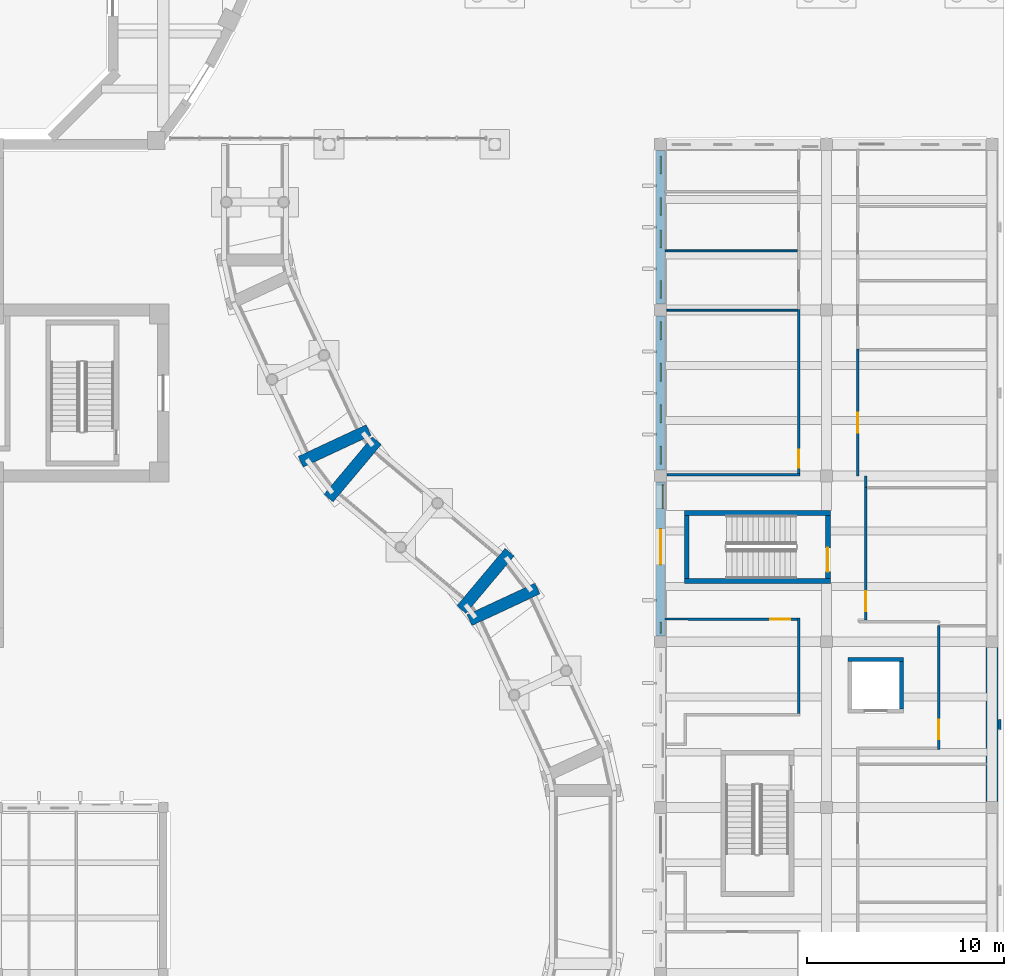
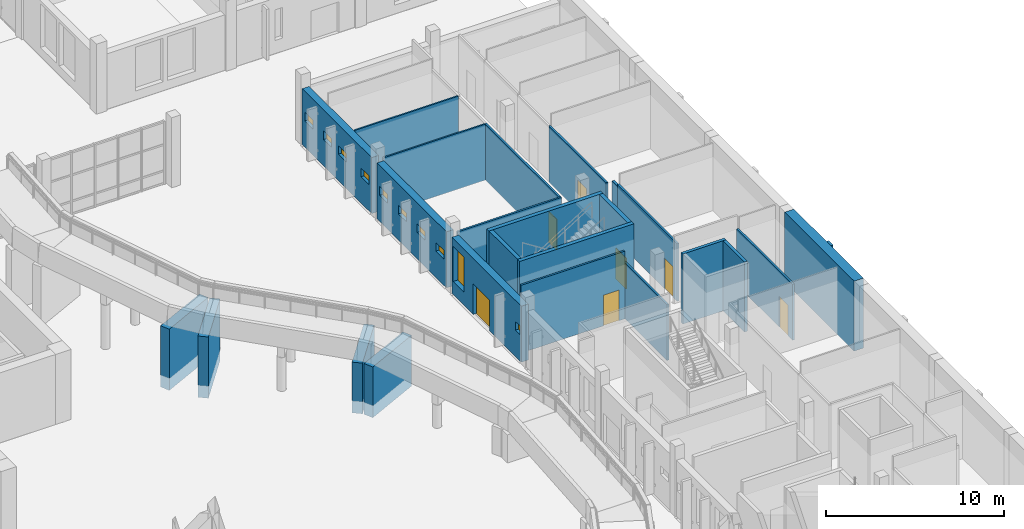
# One storey, part 60 of 110: 25 walls, 10 windows, 7 doors, 17 openings.
"""IFC4 building model written with IfcOpenShell, lengths in metres."""

from ifc_helpers import new_model, si_unit, direction, frame, frame_2d, origin, place, context, subcontext, project, spatial, rectangle, extrude, material, layer, layer_set, type_object, element, fill, save


model = new_model("IFC4")

# Units and contexts
model_context = context("Model", 3, precision=1e-05, world=origin(), true_north=direction((0.0, 1.0)))
body_context = subcontext(model_context, "Body", "Model", "MODEL_VIEW")
ifc_project = project(units=[si_unit("LENGTHUNIT", "METRE"), si_unit("AREAUNIT", "SQUARE_METRE"), si_unit("VOLUMEUNIT", "CUBIC_METRE"), si_unit("PLANEANGLEUNIT", "RADIAN"), si_unit("MASSUNIT", "GRAM", prefix="KILO")], contexts=[model_context])

# Site, building, storey
site_placement = place(None, origin())
site = spatial("IfcSite", under=ifc_project, at=site_placement, CompositionType="ELEMENT")
building_placement = place(site_placement, origin())
building = spatial("IfcBuilding", under=site, at=building_placement, Name="Larchfold Concert Hall", CompositionType="ELEMENT")
storey_placement = place(building_placement, origin())
storey = spatial("IfcBuildingStorey", under=building, at=storey_placement, Name="L00", CompositionType="ELEMENT", Elevation=0.0)

# Wall
ifc_material_1 = material(Name="Plasterboard partition on steel studs", Category="steel")
ifc_layer_1 = layer(ifc_material_1, 0.125)
ifc_layer_set_1 = layer_set([ifc_layer_1], Name="Plasterboard partition on steel studs")
wall_type_1 = type_object("IfcWallType", Name="Corridor partition 125 EI 60", PredefinedType="PARTITIONING", material=ifc_layer_set_1)
wall_1_placement = place(storey_placement, frame((91.59716796875, 30.5634765625, 0.0), z_axis=(0.0, 0.0, 1.0), x_axis=(0.000806898724, 0.999999674457, 0.0)))
element("IfcWall", 1, at=wall_1_placement, inside=storey, type_object=wall_type_1, Name="Partition IW0047", PredefinedType="PARTITIONING", context=body_context, shape_type="SweptSolid", body=[
    extrude(rectangle(XDim=4.841064453125, YDim=0.125, at=frame_2d((2.42041015625, 0.0))), origin(), (0.0, 0.0, 1.0), 3.840087890625),
])

# Wall, opening, door
wall_2_placement = place(storey_placement, frame((91.53857421875, 35.342041015625, 0.0), z_axis=(0.0, 0.0, 1.0), x_axis=(-0.999999094746, 0.001345551186, 0.0)))
wall_2 = element("IfcWall", 2, at=wall_2_placement, inside=storey, type_object=wall_type_1, Name="Partition IW0048", PredefinedType="PARTITIONING", context=body_context, shape_type="SweptSolid", body=[
    extrude(rectangle(XDim=6.71337890625, YDim=0.125, at=frame_2d((3.356689453125, 0.0))), origin(), (0.0, 0.0, 1.0), 4.639892578125),
])
opening_1_placement = place(wall_2_placement, frame((0.373046875, 0.0, 0.0)))
opening_1 = element("IfcOpeningElement", 3, at=opening_1_placement, cuts=wall_2, Name="Opening D-L00-118", PredefinedType="OPENING", context=body_context, shape_type="SweptSolid", body=[
    extrude(rectangle(XDim=1.0, YDim=2.10009765625, at=frame_2d((0.5, 1.050048828125))), frame((0.0, 0.072509765625, 0.0), z_axis=(0.0, -1.0, 0.0), x_axis=(1.0, 0.0, 0.0)), (0.0, 0.0, 1.0), 0.14501953125),
])
ifc_material_2 = material(Name="Timber door leaf", Category="wood")
door_type_1 = type_object("IfcDoorType", Name="Dressing room door 1000 x 2100 FD30S", OperationType="SINGLE_SWING_LEFT", PredefinedType="DOOR", material=ifc_material_2)
door_1_placement = place(opening_1_placement, origin())
door_1 = element("IfcDoor", 4, at=door_1_placement, inside=storey, type_object=door_type_1, Name="Door D-L00-118", OperationType="SINGLE_SWING_LEFT", OverallHeight=2.10009765625, OverallWidth=1.0, PredefinedType="DOOR", context=body_context, shape_type="SweptSolid", body=[
    extrude(rectangle(XDim=1.0, YDim=2.10009765625, at=frame_2d((0.5, 1.050048828125))), frame((0.0, 0.02490234375, 0.0), z_axis=(0.0, -1.0, 0.0), x_axis=(1.0, 0.0, 0.0)), (0.0, 0.0, 1.0), 0.050048828125),
])
fill(opening_1, door_1)

wall_3_placement = place(storey_placement, frame((98.698974609375, 35.02001953125, 0.0), z_axis=(0.0, 0.0, 1.0), x_axis=(0.0, -1.0, 0.0)))
wall_3 = element("IfcWall", 5, at=wall_3_placement, inside=storey, type_object=wall_type_1, Name="Partition IW0049", PredefinedType="PARTITIONING", context=body_context, shape_type="SweptSolid", body=[
    extrude(rectangle(XDim=6.281494140625, YDim=0.125, at=frame_2d((3.140625, 0.0))), origin(), (0.0, 0.0, 1.0), 3.840087890625),
])
opening_2_placement = place(wall_3_placement, frame((4.77001953125, 0.0, 0.0)))
opening_2 = element("IfcOpeningElement", 6, at=opening_2_placement, cuts=wall_3, Name="Opening D-L00-119", PredefinedType="OPENING", context=body_context, shape_type="SweptSolid", body=[
    extrude(rectangle(XDim=1.0, YDim=2.10009765625, at=frame_2d((0.5, 1.050048828125))), frame((0.0, 0.072509765625, 0.0), z_axis=(0.0, -1.0, 0.0), x_axis=(1.0, 0.0, 0.0)), (0.0, 0.0, 1.0), 0.14501953125),
])
door_2_placement = place(opening_2_placement, origin())
door_2 = element("IfcDoor", 7, at=door_2_placement, inside=storey, type_object=door_type_1, Name="Door D-L00-119", OperationType="SINGLE_SWING_LEFT", OverallHeight=2.10009765625, OverallWidth=1.0, PredefinedType="DOOR", context=body_context, shape_type="SweptSolid", body=[
    extrude(rectangle(XDim=1.0, YDim=2.10009765625, at=frame_2d((0.5, 1.050048828125))), frame((0.0, 0.02490234375, 0.0), z_axis=(0.0, -1.0, 0.0), x_axis=(1.0, 0.0, 0.0)), (0.0, 0.0, 1.0), 0.050048828125),
])
fill(opening_2, door_2)

wall_4_placement = place(storey_placement, frame((94.9990234375, 42.02001953125, 0.0), z_axis=(0.0, 0.0, 1.0), x_axis=(0.0, -1.0, 0.0)))
wall_4 = element("IfcWall", 8, at=wall_4_placement, inside=storey, type_object=wall_type_1, Name="Partition IW0052", PredefinedType="PARTITIONING", context=body_context, shape_type="SweptSolid", body=[
    extrude(rectangle(XDim=6.7314453125, YDim=0.125, at=frame_2d((3.36572265625, 0.0))), origin(), (0.0, 0.0, 1.0), 3.93994140625),
])
opening_3_placement = place(wall_4_placement, frame((5.269775390625, 0.0, 0.0)))
opening_3 = element("IfcOpeningElement", 9, at=opening_3_placement, cuts=wall_4, Name="Opening D-L00-120", PredefinedType="OPENING", context=body_context, shape_type="SweptSolid", body=[
    extrude(rectangle(XDim=1.0, YDim=2.10009765625, at=frame_2d((0.5, 1.050048828125))), frame((0.0, 0.072509765625, 0.0), z_axis=(0.0, -1.0, 0.0), x_axis=(1.0, 0.0, 0.0)), (0.0, 0.0, 1.0), 0.14501953125),
])
door_3_placement = place(opening_3_placement, origin())
door_3 = element("IfcDoor", 10, at=door_3_placement, inside=storey, type_object=door_type_1, Name="Door D-L00-120", OperationType="SINGLE_SWING_RIGHT", OverallHeight=2.10009765625, OverallWidth=1.0, PredefinedType="DOOR", context=body_context, shape_type="SweptSolid", body=[
    extrude(rectangle(XDim=1.0, YDim=2.10009765625, at=frame_2d((0.5, 1.050048828125))), frame((0.0, 0.02490234375, 0.0), z_axis=(0.0, -1.0, 0.0), x_axis=(1.0, 0.0, 0.0)), (0.0, 0.0, 1.0), 0.050048828125),
])
fill(opening_3, door_3)

wall_5_placement = place(storey_placement, frame((94.59912109375, 49.02001953125, 0.0), z_axis=(0.0, 0.0, 1.0), x_axis=(0.0, -1.0, 0.0)))
wall_5 = element("IfcWall", 11, at=wall_5_placement, inside=storey, type_object=wall_type_1, Name="Partition IW0054", PredefinedType="PARTITIONING", context=body_context, shape_type="SweptSolid", body=[
    extrude(rectangle(XDim=6.423583984375, YDim=0.125, at=frame_2d((3.2119140625, 0.0))), origin(), (0.0, 0.0, 1.0), 3.840087890625),
])
opening_4_placement = place(wall_5_placement, frame((3.2294921875, 0.0, 0.0)))
opening_4 = element("IfcOpeningElement", 12, at=opening_4_placement, cuts=wall_5, Name="Opening D-L00-121", PredefinedType="OPENING", context=body_context, shape_type="SweptSolid", body=[
    extrude(rectangle(XDim=1.0, YDim=2.10009765625, at=frame_2d((0.5, 1.050048828125))), frame((0.0, 0.072509765625, 0.0), z_axis=(0.0, -1.0, 0.0), x_axis=(1.0, 0.0, 0.0)), (0.0, 0.0, 1.0), 0.14501953125),
])
door_4_placement = place(opening_4_placement, origin())
door_4 = element("IfcDoor", 13, at=door_4_placement, inside=storey, type_object=door_type_1, Name="Door D-L00-121", OperationType="SINGLE_SWING_RIGHT", OverallHeight=2.10009765625, OverallWidth=1.0, PredefinedType="DOOR", context=body_context, shape_type="SweptSolid", body=[
    extrude(rectangle(XDim=1.0, YDim=2.10009765625, at=frame_2d((0.5, 1.050048828125))), frame((0.0, 0.02490234375, 0.0), z_axis=(0.0, -1.0, 0.0), x_axis=(1.0, 0.0, 0.0)), (0.0, 0.0, 1.0), 0.050048828125),
])
fill(opening_4, door_4)

# Walls
wall_6_placement = place(storey_placement, frame((94.9990234375, 42.58642578125, 0.0), z_axis=(0.0, 0.0, 1.0), x_axis=(0.0, -1.0, 0.0)))
element("IfcWall", 14, at=wall_6_placement, inside=storey, type_object=wall_type_1, Name="Partition IW0055", PredefinedType="PARTITIONING", context=body_context, shape_type="SweptSolid", body=[
    extrude(rectangle(XDim=0.56640625, YDim=0.125, at=frame_2d((0.283203125, 0.0))), origin(), (0.0, 0.0, 1.0), 3.840087890625),
])
wall_7_placement = place(storey_placement, frame((84.920166015625, 42.64892578125, 0.0), z_axis=(0.0, 0.0, 1.0), x_axis=(0.999999590271, 0.000905239155, 0.0)))
element("IfcWall", 15, at=wall_7_placement, inside=storey, type_object=wall_type_1, Name="Partition IW0056", PredefinedType="PARTITIONING", context=body_context, shape_type="SweptSolid", body=[
    extrude(rectangle(XDim=6.742431640625, YDim=0.125, at=frame_2d((3.37109375, 0.0))), origin(), (0.0, 0.0, 1.0), 3.840087890625),
])

# Wall, opening, door
wall_8_placement = place(storey_placement, frame((91.60009765625, 42.717529296875, 0.0), z_axis=(0.0, 0.0, 1.0), x_axis=(0.0, 1.0, 0.0)))
wall_8 = element("IfcWall", 16, at=wall_8_placement, inside=storey, type_object=wall_type_1, Name="Partition IW0057", PredefinedType="PARTITIONING", context=body_context, shape_type="SweptSolid", body=[
    extrude(rectangle(XDim=8.302490234375, YDim=0.125, at=frame_2d((4.1513671875, 0.0))), origin(), (0.0, 0.0, 1.0), 3.840087890625),
])
opening_5_placement = place(wall_8_placement, frame((0.298095703125, 0.0, 0.0)))
opening_5 = element("IfcOpeningElement", 17, at=opening_5_placement, cuts=wall_8, Name="Opening D-L00-122", PredefinedType="OPENING", context=body_context, shape_type="SweptSolid", body=[
    extrude(rectangle(XDim=0.89990234375, YDim=2.10009765625, at=frame_2d((0.449951171875, 1.050048828125))), frame((0.0, 0.072509765625, 0.0), z_axis=(0.0, -1.0, 0.0), x_axis=(1.0, 0.0, 0.0)), (0.0, 0.0, 1.0), 0.14501953125),
])
ifc_material_3 = material(Name="Timber door leaf", Category="wood")
door_type_2 = type_object("IfcDoorType", Name="Public toilet door 900 x 2100 FD30S", OperationType="SINGLE_SWING_LEFT", PredefinedType="DOOR", material=ifc_material_3)
door_5_placement = place(opening_5_placement, origin())
door_5 = element("IfcDoor", 18, at=door_5_placement, inside=storey, type_object=door_type_2, Name="Door D-L00-122", OperationType="SINGLE_SWING_RIGHT", OverallHeight=2.10009765625, OverallWidth=0.89990234375, PredefinedType="DOOR", context=body_context, shape_type="SweptSolid", body=[
    extrude(rectangle(XDim=0.89990234375, YDim=2.10009765625, at=frame_2d((0.449951171875, 1.050048828125))), frame((0.0, 0.02490234375, 0.0), z_axis=(0.0, -1.0, 0.0), x_axis=(1.0, 0.0, 0.0)), (0.0, 0.0, 1.0), 0.050048828125),
])
fill(opening_5, door_5)

# Walls
ifc_material_4 = material(Name="Plasterboard partition on steel studs", Category="steel")
ifc_layer_2 = layer(ifc_material_4, 0.10009765625)
ifc_layer_set_2 = layer_set([ifc_layer_2], Name="Plasterboard partition on steel studs")
wall_type_2 = type_object("IfcWallType", Name="Stud partition 100", PredefinedType="PARTITIONING", material=ifc_layer_set_2)
wall_9_placement = place(storey_placement, frame((84.920166015625, 51.0, 0.0), z_axis=(0.0, 0.0, 1.0), x_axis=(1.0, 0.0, 0.0)))
element("IfcWall", 19, at=wall_9_placement, inside=storey, type_object=wall_type_2, Name="Partition IW0071", PredefinedType="PARTITIONING", context=body_context, shape_type="SweptSolid", body=[
    extrude(rectangle(XDim=6.61474609375, YDim=0.10009765625, at=frame_2d((3.307373046875, 0.0))), origin(), (0.0, 0.0, 1.0), 3.840087890625),
])
wall_10_placement = place(storey_placement, frame((84.8251953125, 54.0, 0.0), z_axis=(0.0, 0.0, 1.0), x_axis=(1.0, 0.0, 0.0)))
element("IfcWall", 20, at=wall_10_placement, inside=storey, type_object=wall_type_2, Name="Partition IW0073", PredefinedType="PARTITIONING", context=body_context, shape_type="SweptSolid", body=[
    extrude(rectangle(XDim=6.709716796875, YDim=0.10009765625, at=frame_2d((3.35498046875, 0.0))), origin(), (0.0, 0.0, 1.0), 3.93994140625),
])
ifc_material_5 = material(Name="Concrete C40/50", Category="concrete")
ifc_layer_3 = layer(ifc_material_5, 0.199951171875)
ifc_layer_set_3 = layer_set([ifc_layer_3], Name="Concrete C40/50")
wall_type_3 = type_object("IfcWallType", Name="Wall RC 200 lift shaft", PredefinedType="SOLIDWALL", material=ifc_layer_set_3)
wall_11_placement = place(storey_placement, frame((94.10009765625, 33.2998046875, 0.0), z_axis=(0.0, 0.0, 1.0), x_axis=(1.0, 0.0, 0.0)))
element("IfcWall", 21, at=wall_11_placement, inside=storey, type_object=wall_type_3, Name="Wall W0166", PredefinedType="SOLIDWALL", context=body_context, shape_type="SweptSolid", body=[
    extrude(rectangle(XDim=2.7998046875, YDim=0.199951171875, at=frame_2d((1.39990234375, 0.0))), origin(), (0.0, 0.0, 1.0), 4.800048828125),
])
wall_12_placement = place(storey_placement, frame((96.7998046875, 30.800048828125, 0.0), z_axis=(0.0, 0.0, 1.0), x_axis=(0.0, 1.0, 0.0)))
element("IfcWall", 22, at=wall_12_placement, inside=storey, type_object=wall_type_3, Name="Wall W0168", PredefinedType="SOLIDWALL", context=body_context, shape_type="SweptSolid", body=[
    extrude(rectangle(XDim=2.39990234375, YDim=0.199951171875, at=frame_2d((1.199951171875, 0.0))), origin(), (0.0, 0.0, 1.0), 4.800048828125),
])
ifc_material_6 = material(Name="Concrete C40/50", Category="concrete")
ifc_layer_4 = layer(ifc_material_6, 0.25)
ifc_layer_set_4 = layer_set([ifc_layer_4], Name="Concrete C40/50")
wall_type_4 = type_object("IfcWallType", Name="Wall RC 250 stair core", PredefinedType="SOLIDWALL", material=ifc_layer_set_4)
for number, where, z_axis, x_axis, name in (
    (23, (85.800048828125, 37.27490234375, 0.0), (0.0, 0.0, 1.0), (1.0, 0.0, 0.0), "Wall W0089"),
    (24, (85.800048828125, 40.72509765625, 0.0), (0.0, 0.0, 1.0), (1.0, 0.0, 0.0), "Wall W0090"),
):
    element("IfcWall", number, at=place(storey_placement, frame(where, z_axis=z_axis, x_axis=x_axis)), inside=storey, type_object=wall_type_4, Name=name, PredefinedType="SOLIDWALL", context=body_context, shape_type="SweptSolid", body=[
        extrude(rectangle(XDim=7.39990234375, YDim=0.25, at=frame_2d((3.699951171875, 0.0))), origin(), (0.0, 0.0, 1.0), 4.800048828125),
    ])
wall_13_placement = place(storey_placement, frame((85.925048828125, 37.39990234375, 0.0), z_axis=(0.0, 0.0, 1.0), x_axis=(0.0, 1.0, 0.0)))
element("IfcWall", 25, at=wall_13_placement, inside=storey, type_object=wall_type_4, Name="Wall W0091", PredefinedType="SOLIDWALL", context=body_context, shape_type="SweptSolid", body=[
    extrude(rectangle(XDim=3.2001953125, YDim=0.25, at=frame_2d((1.60009765625, 0.0))), origin(), (0.0, 0.0, 1.0), 4.800048828125),
])

# Wall, opening, door
wall_14_placement = place(storey_placement, frame((93.074951171875, 37.39990234375, 0.0), z_axis=(0.0, 0.0, 1.0), x_axis=(0.0, 1.0, 0.0)))
wall_14 = element("IfcWall", 26, at=wall_14_placement, inside=storey, type_object=wall_type_4, Name="Wall W0092", PredefinedType="SOLIDWALL", context=body_context, shape_type="SweptSolid", body=[
    extrude(rectangle(XDim=3.2001953125, YDim=0.25, at=frame_2d((1.60009765625, 0.0))), origin(), (0.0, 0.0, 1.0), 4.800048828125),
])
opening_6_placement = place(wall_14_placement, frame((0.35009765625, 0.0, 0.0)))
opening_6 = element("IfcOpeningElement", 27, at=opening_6_placement, cuts=wall_14, Name="Opening D-L00-168", PredefinedType="OPENING", context=body_context, shape_type="SweptSolid", body=[
    extrude(rectangle(XDim=1.199951171875, YDim=2.10009765625, at=frame_2d((0.60009765625, 1.050048828125))), frame((0.0, 0.135009765625, 0.0), z_axis=(0.0, -1.0, 0.0), x_axis=(1.0, 0.0, 0.0)), (0.0, 0.0, 1.0), 0.27001953125),
])
ifc_material_7 = material(Name="Timber door leaf", Category="wood")
door_type_3 = type_object("IfcDoorType", Name="Stair enclosure door pair 1200 x 2100 FD60", OperationType="SINGLE_SWING_LEFT", PredefinedType="DOOR", material=ifc_material_7)
door_6_placement = place(opening_6_placement, origin())
door_6 = element("IfcDoor", 28, at=door_6_placement, inside=storey, type_object=door_type_3, Name="Door D-L00-168", OperationType="DOUBLE_DOOR_SINGLE_SWING", OverallHeight=2.10009765625, OverallWidth=1.199951171875, PredefinedType="DOOR", context=body_context, shape_type="SweptSolid", body=[
    extrude(rectangle(XDim=1.199951171875, YDim=2.10009765625, at=frame_2d((0.60009765625, 1.050048828125))), frame((0.0, 0.02490234375, 0.0), z_axis=(0.0, -1.0, 0.0), x_axis=(1.0, 0.0, 0.0)), (0.0, 0.0, 1.0), 0.050048828125),
])
fill(opening_6, door_6)

# Walls
ifc_material_8 = material(Name="Concrete C40/50", Category="concrete")
ifc_layer_5 = layer(ifc_material_8, 0.60009765625)
ifc_layer_set_5 = layer_set([ifc_layer_5], Name="Concrete C40/50")
wall_type_5 = type_object("IfcWallType", Name="Wall RC 600 party wall", PredefinedType="SOLIDWALL", material=ifc_layer_set_5)
wall_15_placement = place(storey_placement, frame((101.39990234375, 26.10009765625, 0.0), z_axis=(0.0, 0.0, 1.0), x_axis=(0.0, 1.0, 0.0)))
element("IfcWall", 29, at=wall_15_placement, inside=storey, type_object=wall_type_5, Name="Wall W0023", PredefinedType="SOLIDWALL", context=body_context, shape_type="SweptSolid", body=[
    extrude(rectangle(XDim=7.7998046875, YDim=0.60009765625, at=frame_2d((3.89990234375, 0.0))), origin(), (0.0, 0.0, 1.0), 4.800048828125),
])
ifc_material_9 = material(Name="Concrete C30/37", Category="concrete")
ifc_layer_6 = layer(ifc_material_9, 0.60009765625)
ifc_layer_set_6 = layer_set([ifc_layer_6], Name="Concrete C30/37")
wall_type_6 = type_object("IfcWallType", Name="Wall RC 600 ramp pier", PredefinedType="SOLIDWALL", material=ifc_layer_set_6)
wall_16_placement = place(storey_placement, frame((78.364013671875, 36.89501953125, -0.85009765625), z_axis=(0.0, 0.0, 1.0), x_axis=(-0.906301285889, -0.422632203217, 0.0)))
element("IfcWall", 30, at=wall_16_placement, inside=storey, type_object=wall_type_6, Name="Wall W0199", PredefinedType="SOLIDWALL", context=body_context, shape_type="SweptSolid", body=[
    extrude(rectangle(XDim=3.7998046875, YDim=0.60009765625, at=frame_2d((1.89990234375, 0.0))), origin(), (0.0, 0.0, 1.0), 3.47998046875),
])
wall_17_placement = place(storey_placement, frame((76.9501953125, 38.73779296875, -0.85009765625), z_axis=(0.0, 0.0, 1.0), x_axis=(-0.642733920245, -0.766089490704, 0.0)))
element("IfcWall", 31, at=wall_17_placement, inside=storey, type_object=wall_type_6, Name="Wall W0200", PredefinedType="SOLIDWALL", context=body_context, shape_type="SweptSolid", body=[
    extrude(rectangle(XDim=3.800048828125, YDim=0.60009765625, at=frame_2d((1.89990234375, 0.0))), origin(), (0.0, 0.0, 1.0), 3.47998046875),
])
wall_18_placement = place(storey_placement, frame((70.22119140625, 44.384033203125, -0.85009765625), z_axis=(0.0, 0.0, 1.0), x_axis=(-0.642733920245, -0.766089490704, 0.0)))
element("IfcWall", 32, at=wall_18_placement, inside=storey, type_object=wall_type_6, Name="Wall W0201", PredefinedType="SOLIDWALL", context=body_context, shape_type="SweptSolid", body=[
    extrude(rectangle(XDim=3.800048828125, YDim=0.60009765625, at=frame_2d((1.89990234375, 0.0))), origin(), (0.0, 0.0, 1.0), 4.2001953125),
])
wall_19_placement = place(storey_placement, frame((69.808837890625, 44.92138671875, -0.85009765625), z_axis=(0.0, 0.0, 1.0), x_axis=(-0.906301285889, -0.422632203217, 0.0)))
element("IfcWall", 33, at=wall_19_placement, inside=storey, type_object=wall_type_6, Name="Wall W0202", PredefinedType="SOLIDWALL", context=body_context, shape_type="SweptSolid", body=[
    extrude(rectangle(XDim=3.7998046875, YDim=0.60009765625, at=frame_2d((1.89990234375, 0.0))), origin(), (0.0, 0.0, 1.0), 4.2001953125),
])

# Wall, openings, windows
ifc_material_10 = material(Name="White render on mineral wool and block")
ifc_layer_7 = layer(ifc_material_10, 0.449951171875)
ifc_layer_set_7 = layer_set([ifc_layer_7], Name="White render on mineral wool and block")
wall_type_7 = type_object("IfcWallType", Name="White render infill wall 450", PredefinedType="SOLIDWALL", material=ifc_layer_set_7)
wall_20_placement = place(storey_placement, frame((84.60009765625, 59.099853515625, 0.0), z_axis=(0.0, 0.0, 1.0), x_axis=(0.0, -1.0, 0.0)))
wall_20 = element("IfcWall", 34, at=wall_20_placement, inside=storey, type_object=wall_type_7, Name="Infill wall W5125", PredefinedType="SOLIDWALL", context=body_context, shape_type="SweptSolid", body=[
    extrude(rectangle(XDim=7.7998046875, YDim=0.449951171875, at=frame_2d((3.89990234375, 0.0))), origin(), (0.0, 0.0, 1.0), 3.840087890625),
])
opening_7_placement = place(wall_20_placement, frame((6.599853515625, 0.0, 1.800048828125)))
opening_7 = element("IfcOpeningElement", 35, at=opening_7_placement, cuts=wall_20, Name="Opening WN-L00-056", PredefinedType="OPENING", context=body_context, shape_type="SweptSolid", body=[
    extrude(rectangle(XDim=0.89990234375, YDim=0.60009765625, at=frame_2d((0.449951171875, 0.300048828125))), frame((0.0, 0.23486328125, 0.0), z_axis=(0.0, -1.0, 0.0), x_axis=(1.0, 0.0, 0.0)), (0.0, 0.0, 1.0), 0.469970703125),
])
opening_8_placement = place(wall_20_placement, frame((4.0498046875, 0.0, 1.800048828125)))
opening_8 = element("IfcOpeningElement", 36, at=opening_8_placement, cuts=wall_20, Name="Opening WN-L00-057", PredefinedType="OPENING", context=body_context, shape_type="SweptSolid", body=[
    extrude(rectangle(XDim=0.89990234375, YDim=0.60009765625, at=frame_2d((0.449951171875, 0.300048828125))), frame((0.0, 0.23486328125, 0.0), z_axis=(0.0, -1.0, 0.0), x_axis=(1.0, 0.0, 0.0)), (0.0, 0.0, 1.0), 0.469970703125),
])
opening_9_placement = place(wall_20_placement, frame((2.39990234375, 0.0, 1.800048828125)))
opening_9 = element("IfcOpeningElement", 37, at=opening_9_placement, cuts=wall_20, Name="Opening WN-L00-058", PredefinedType="OPENING", context=body_context, shape_type="SweptSolid", body=[
    extrude(rectangle(XDim=0.89990234375, YDim=0.60009765625, at=frame_2d((0.449951171875, 0.300048828125))), frame((0.0, 0.23486328125, 0.0), z_axis=(0.0, -1.0, 0.0), x_axis=(1.0, 0.0, 0.0)), (0.0, 0.0, 1.0), 0.469970703125),
])
opening_10_placement = place(wall_20_placement, frame((0.2998046875, 0.0, 1.800048828125)))
opening_10 = element("IfcOpeningElement", 38, at=opening_10_placement, cuts=wall_20, Name="Opening WN-L00-059", PredefinedType="OPENING", context=body_context, shape_type="SweptSolid", body=[
    extrude(rectangle(XDim=0.89990234375, YDim=0.60009765625, at=frame_2d((0.449951171875, 0.300048828125))), frame((0.0, 0.23486328125, 0.0), z_axis=(0.0, -1.0, 0.0), x_axis=(1.0, 0.0, 0.0)), (0.0, 0.0, 1.0), 0.469970703125),
])
ifc_material_11 = material(Name="Anodised graphite aluminium frame with obscured glass", Category="aluminium")
window_type_1 = type_object("IfcWindowType", Name="Toilet high window 900x600", PartitioningType="SINGLE_PANEL", PredefinedType="WINDOW", material=ifc_material_11)
window_1_placement = place(opening_7_placement, origin())
window_1 = element("IfcWindow", 39, at=window_1_placement, inside=storey, type_object=window_type_1, Name="Window WN-L00-056", OverallHeight=0.60009765625, OverallWidth=0.89990234375, PartitioningType="SINGLE_PANEL", PredefinedType="WINDOW", context=body_context, shape_type="SweptSolid", body=[
    extrude(rectangle(XDim=0.89990234375, YDim=0.60009765625, at=frame_2d((0.449951171875, 0.300048828125))), frame((0.0, 0.034912109375, 0.0), z_axis=(0.0, -1.0, 0.0), x_axis=(1.0, 0.0, 0.0)), (0.0, 0.0, 1.0), 0.06005859375),
])
fill(opening_7, window_1)
window_2_placement = place(opening_8_placement, origin())
window_2 = element("IfcWindow", 40, at=window_2_placement, inside=storey, type_object=window_type_1, Name="Window WN-L00-057", OverallHeight=0.60009765625, OverallWidth=0.89990234375, PartitioningType="SINGLE_PANEL", PredefinedType="WINDOW", context=body_context, shape_type="SweptSolid", body=[
    extrude(rectangle(XDim=0.89990234375, YDim=0.60009765625, at=frame_2d((0.449951171875, 0.300048828125))), frame((0.0, 0.034912109375, 0.0), z_axis=(0.0, -1.0, 0.0), x_axis=(1.0, 0.0, 0.0)), (0.0, 0.0, 1.0), 0.06005859375),
])
fill(opening_8, window_2)
window_3_placement = place(opening_9_placement, origin())
window_3 = element("IfcWindow", 41, at=window_3_placement, inside=storey, type_object=window_type_1, Name="Window WN-L00-058", OverallHeight=0.60009765625, OverallWidth=0.89990234375, PartitioningType="SINGLE_PANEL", PredefinedType="WINDOW", context=body_context, shape_type="SweptSolid", body=[
    extrude(rectangle(XDim=0.89990234375, YDim=0.60009765625, at=frame_2d((0.449951171875, 0.300048828125))), frame((0.0, 0.034912109375, 0.0), z_axis=(0.0, -1.0, 0.0), x_axis=(1.0, 0.0, 0.0)), (0.0, 0.0, 1.0), 0.06005859375),
])
fill(opening_9, window_3)
window_4_placement = place(opening_10_placement, origin())
window_4 = element("IfcWindow", 42, at=window_4_placement, inside=storey, type_object=window_type_1, Name="Window WN-L00-059", OverallHeight=0.60009765625, OverallWidth=0.89990234375, PartitioningType="SINGLE_PANEL", PredefinedType="WINDOW", context=body_context, shape_type="SweptSolid", body=[
    extrude(rectangle(XDim=0.89990234375, YDim=0.60009765625, at=frame_2d((0.449951171875, 0.300048828125))), frame((0.0, 0.034912109375, 0.0), z_axis=(0.0, -1.0, 0.0), x_axis=(1.0, 0.0, 0.0)), (0.0, 0.0, 1.0), 0.06005859375),
])
fill(opening_10, window_4)

wall_21_placement = place(storey_placement, frame((84.60009765625, 50.699951171875, 0.0), z_axis=(0.0, 0.0, 1.0), x_axis=(0.0, -1.0, 0.0)))
wall_21 = element("IfcWall", 43, at=wall_21_placement, inside=storey, type_object=wall_type_7, Name="Infill wall W5126", PredefinedType="SOLIDWALL", context=body_context, shape_type="SweptSolid", body=[
    extrude(rectangle(XDim=7.7998046875, YDim=0.449951171875, at=frame_2d((3.89990234375, 0.0))), origin(), (0.0, 0.0, 1.0), 3.840087890625),
])
opening_11_placement = place(wall_21_placement, frame((6.599853515625, 0.0, 1.800048828125)))
opening_11 = element("IfcOpeningElement", 44, at=opening_11_placement, cuts=wall_21, Name="Opening WN-L00-060", PredefinedType="OPENING", context=body_context, shape_type="SweptSolid", body=[
    extrude(rectangle(XDim=0.89990234375, YDim=0.60009765625, at=frame_2d((0.449951171875, 0.300048828125))), frame((0.0, 0.23486328125, 0.0), z_axis=(0.0, -1.0, 0.0), x_axis=(1.0, 0.0, 0.0)), (0.0, 0.0, 1.0), 0.469970703125),
])
opening_12_placement = place(wall_21_placement, frame((4.5, 0.0, 1.800048828125)))
opening_12 = element("IfcOpeningElement", 45, at=opening_12_placement, cuts=wall_21, Name="Opening WN-L00-061", PredefinedType="OPENING", context=body_context, shape_type="SweptSolid", body=[
    extrude(rectangle(XDim=0.89990234375, YDim=0.60009765625, at=frame_2d((0.449951171875, 0.300048828125))), frame((0.0, 0.23486328125, 0.0), z_axis=(0.0, -1.0, 0.0), x_axis=(1.0, 0.0, 0.0)), (0.0, 0.0, 1.0), 0.469970703125),
])
opening_13_placement = place(wall_21_placement, frame((2.39990234375, 0.0, 1.800048828125)))
opening_13 = element("IfcOpeningElement", 46, at=opening_13_placement, cuts=wall_21, Name="Opening WN-L00-062", PredefinedType="OPENING", context=body_context, shape_type="SweptSolid", body=[
    extrude(rectangle(XDim=0.89990234375, YDim=0.60009765625, at=frame_2d((0.449951171875, 0.300048828125))), frame((0.0, 0.23486328125, 0.0), z_axis=(0.0, -1.0, 0.0), x_axis=(1.0, 0.0, 0.0)), (0.0, 0.0, 1.0), 0.469970703125),
])
opening_14_placement = place(wall_21_placement, frame((0.300048828125, 0.0, 1.800048828125)))
opening_14 = element("IfcOpeningElement", 47, at=opening_14_placement, cuts=wall_21, Name="Opening WN-L00-063", PredefinedType="OPENING", context=body_context, shape_type="SweptSolid", body=[
    extrude(rectangle(XDim=0.89990234375, YDim=0.60009765625, at=frame_2d((0.449951171875, 0.300048828125))), frame((0.0, 0.23486328125, 0.0), z_axis=(0.0, -1.0, 0.0), x_axis=(1.0, 0.0, 0.0)), (0.0, 0.0, 1.0), 0.469970703125),
])
window_5_placement = place(opening_11_placement, origin())
window_5 = element("IfcWindow", 48, at=window_5_placement, inside=storey, type_object=window_type_1, Name="Window WN-L00-060", OverallHeight=0.60009765625, OverallWidth=0.89990234375, PartitioningType="SINGLE_PANEL", PredefinedType="WINDOW", context=body_context, shape_type="SweptSolid", body=[
    extrude(rectangle(XDim=0.89990234375, YDim=0.60009765625, at=frame_2d((0.449951171875, 0.300048828125))), frame((0.0, 0.034912109375, 0.0), z_axis=(0.0, -1.0, 0.0), x_axis=(1.0, 0.0, 0.0)), (0.0, 0.0, 1.0), 0.06005859375),
])
fill(opening_11, window_5)
window_6_placement = place(opening_12_placement, origin())
window_6 = element("IfcWindow", 49, at=window_6_placement, inside=storey, type_object=window_type_1, Name="Window WN-L00-061", OverallHeight=0.60009765625, OverallWidth=0.89990234375, PartitioningType="SINGLE_PANEL", PredefinedType="WINDOW", context=body_context, shape_type="SweptSolid", body=[
    extrude(rectangle(XDim=0.89990234375, YDim=0.60009765625, at=frame_2d((0.449951171875, 0.300048828125))), frame((0.0, 0.034912109375, 0.0), z_axis=(0.0, -1.0, 0.0), x_axis=(1.0, 0.0, 0.0)), (0.0, 0.0, 1.0), 0.06005859375),
])
fill(opening_12, window_6)
window_7_placement = place(opening_13_placement, origin())
window_7 = element("IfcWindow", 50, at=window_7_placement, inside=storey, type_object=window_type_1, Name="Window WN-L00-062", OverallHeight=0.60009765625, OverallWidth=0.89990234375, PartitioningType="SINGLE_PANEL", PredefinedType="WINDOW", context=body_context, shape_type="SweptSolid", body=[
    extrude(rectangle(XDim=0.89990234375, YDim=0.60009765625, at=frame_2d((0.449951171875, 0.300048828125))), frame((0.0, 0.034912109375, 0.0), z_axis=(0.0, -1.0, 0.0), x_axis=(1.0, 0.0, 0.0)), (0.0, 0.0, 1.0), 0.06005859375),
])
fill(opening_13, window_7)
window_8_placement = place(opening_14_placement, origin())
window_8 = element("IfcWindow", 51, at=window_8_placement, inside=storey, type_object=window_type_1, Name="Window WN-L00-063", OverallHeight=0.60009765625, OverallWidth=0.89990234375, PartitioningType="SINGLE_PANEL", PredefinedType="WINDOW", context=body_context, shape_type="SweptSolid", body=[
    extrude(rectangle(XDim=0.89990234375, YDim=0.60009765625, at=frame_2d((0.449951171875, 0.300048828125))), frame((0.0, 0.034912109375, 0.0), z_axis=(0.0, -1.0, 0.0), x_axis=(1.0, 0.0, 0.0)), (0.0, 0.0, 1.0), 0.06005859375),
])
fill(opening_14, window_8)

# Wall, openings, door, windows
wall_22_placement = place(storey_placement, frame((84.60009765625, 42.300048828125, 0.0), z_axis=(0.0, 0.0, 1.0), x_axis=(0.0, -1.0, 0.0)))
wall_22 = element("IfcWall", 52, at=wall_22_placement, inside=storey, type_object=wall_type_7, Name="Infill wall W5127", PredefinedType="SOLIDWALL", context=body_context, shape_type="SweptSolid", body=[
    extrude(rectangle(XDim=7.800048828125, YDim=0.449951171875, at=frame_2d((3.89990234375, 0.0))), origin(), (0.0, 0.0, 1.0), 3.840087890625),
])
opening_15_placement = place(wall_22_placement, frame((2.400146484375, 0.0, 0.0)))
opening_15 = element("IfcOpeningElement", 53, at=opening_15_placement, cuts=wall_22, Name="Opening D-L00-218", PredefinedType="OPENING", context=body_context, shape_type="SweptSolid", body=[
    extrude(rectangle(XDim=1.800048828125, YDim=2.10009765625, at=frame_2d((0.89990234375, 1.050048828125))), frame((0.0, 0.23486328125, 0.0), z_axis=(0.0, -1.0, 0.0), x_axis=(1.0, 0.0, 0.0)), (0.0, 0.0, 1.0), 0.469970703125),
])
opening_16_placement = place(wall_22_placement, frame((7.125244140625, 0.0, 1.800048828125)))
opening_16 = element("IfcOpeningElement", 54, at=opening_16_placement, cuts=wall_22, Name="Opening WN-L00-064", PredefinedType="OPENING", context=body_context, shape_type="SweptSolid", body=[
    extrude(rectangle(XDim=0.550048828125, YDim=0.60009765625, at=frame_2d((0.27490234375, 0.300048828125))), frame((0.0, 0.23486328125, 0.0), z_axis=(0.0, -1.0, 0.0), x_axis=(1.0, 0.0, 0.0)), (0.0, 0.0, 1.0), 0.469970703125),
])
opening_17_placement = place(wall_22_placement, frame((0.150146484375, 0.0, 0.89990234375)))
opening_17 = element("IfcOpeningElement", 55, at=opening_17_placement, cuts=wall_22, Name="Opening WN-L00-065", PredefinedType="OPENING", context=body_context, shape_type="SweptSolid", body=[
    extrude(rectangle(XDim=1.199951171875, YDim=2.39990234375, at=frame_2d((0.60009765625, 1.199951171875))), frame((0.0, 0.23486328125, 0.0), z_axis=(0.0, -1.0, 0.0), x_axis=(1.0, 0.0, 0.0)), (0.0, 0.0, 1.0), 0.469970703125),
])
ifc_material_12 = material(Name="Anodised graphite aluminium door leaf", Category="aluminium")
door_type_4 = type_object("IfcDoorType", Name="Exit door double 1800x2100", OperationType="DOUBLE_DOOR_SINGLE_SWING", PredefinedType="DOOR", material=ifc_material_12)
door_7_placement = place(opening_15_placement, origin())
door_7 = element("IfcDoor", 56, at=door_7_placement, inside=storey, type_object=door_type_4, Name="Door D-L00-218", OperationType="DOUBLE_DOOR_SINGLE_SWING", OverallHeight=2.10009765625, OverallWidth=1.800048828125, PredefinedType="DOOR", context=body_context, shape_type="SweptSolid", body=[
    extrude(rectangle(XDim=1.800048828125, YDim=2.10009765625, at=frame_2d((0.89990234375, 1.050048828125))), frame((0.0, 0.02490234375, 0.0), z_axis=(0.0, -1.0, 0.0), x_axis=(1.0, 0.0, 0.0)), (0.0, 0.0, 1.0), 0.050048828125),
])
fill(opening_15, door_7)
ifc_material_13 = material(Name="Anodised graphite aluminium frame with glass", Category="aluminium")
window_type_2 = type_object("IfcWindowType", Name="Slot window 1200x2400", PartitioningType="SINGLE_PANEL", PredefinedType="WINDOW", material=ifc_material_13)
window_9_placement = place(opening_17_placement, origin())
window_9 = element("IfcWindow", 57, at=window_9_placement, inside=storey, type_object=window_type_2, Name="Window WN-L00-065", OverallHeight=2.39990234375, OverallWidth=1.199951171875, PartitioningType="SINGLE_PANEL", PredefinedType="WINDOW", context=body_context, shape_type="SweptSolid", body=[
    extrude(rectangle(XDim=1.199951171875, YDim=2.39990234375, at=frame_2d((0.60009765625, 1.199951171875))), frame((0.0, 0.135009765625, 0.0), z_axis=(0.0, -1.0, 0.0), x_axis=(1.0, 0.0, 0.0)), (0.0, 0.0, 1.0), 0.06005859375),
])
fill(opening_17, window_9)
ifc_material_14 = material(Name="Anodised graphite aluminium frame with obscured glass", Category="aluminium")
window_type_3 = type_object("IfcWindowType", Name="Toilet high window 550x600", PartitioningType="SINGLE_PANEL", PredefinedType="WINDOW", material=ifc_material_14)
window_10_placement = place(opening_16_placement, origin())
window_10 = element("IfcWindow", 58, at=window_10_placement, inside=storey, type_object=window_type_3, Name="Window WN-L00-064", OverallHeight=0.60009765625, OverallWidth=0.550048828125, PartitioningType="SINGLE_PANEL", PredefinedType="WINDOW", context=body_context, shape_type="SweptSolid", body=[
    extrude(rectangle(XDim=0.550048828125, YDim=0.60009765625, at=frame_2d((0.27490234375, 0.300048828125))), frame((0.0, 0.034912109375, 0.0), z_axis=(0.0, -1.0, 0.0), x_axis=(1.0, 0.0, 0.0)), (0.0, 0.0, 1.0), 0.06005859375),
])
fill(opening_16, window_10)

# Wall
ifc_material_15 = material(Name="White render on insulated block")
ifc_layer_8 = layer(ifc_material_15, 0.14990234375)
ifc_layer_set_8 = layer_set([ifc_layer_8], Name="White render on insulated block")
wall_type_8 = type_object("IfcWallType", Name="White render pilaster 150", PredefinedType="SOLIDWALL", material=ifc_layer_set_8)
wall_23_placement = place(storey_placement, frame((101.77490234375, 29.75, 0.0), z_axis=(0.0, 0.0, 1.0), x_axis=(0.0, 1.0, 0.0)))
element("IfcWall", 59, at=wall_23_placement, inside=storey, type_object=wall_type_8, Name="Pilaster W5341", PredefinedType="SOLIDWALL", context=body_context, shape_type="SweptSolid", body=[
    extrude(rectangle(XDim=0.5, YDim=0.14990234375, at=frame_2d((0.25, 0.0))), origin(), (0.0, 0.0, 1.0), 4.800048828125),
])

save(model, "model.ifc")
